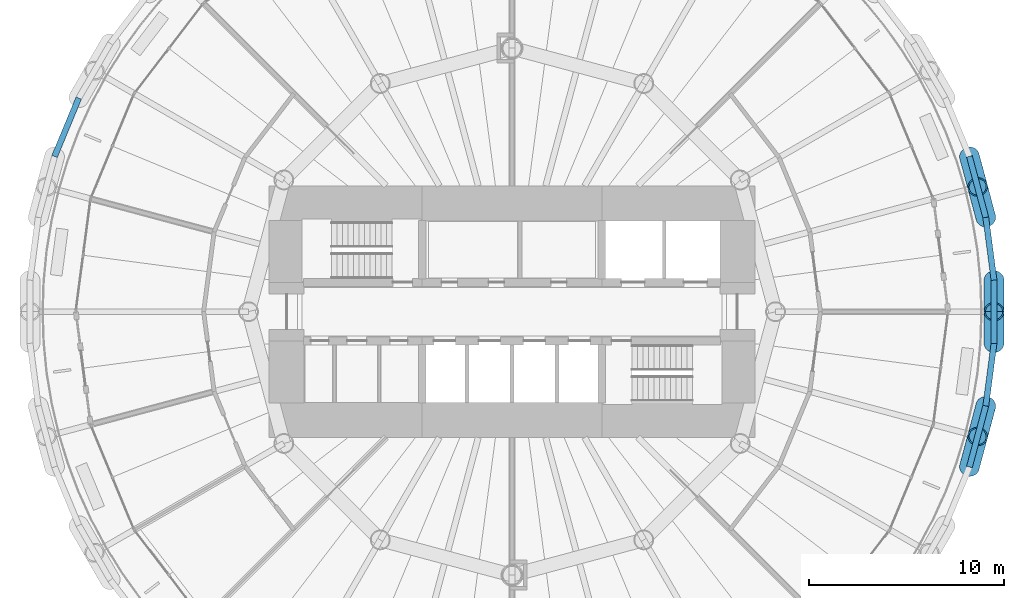
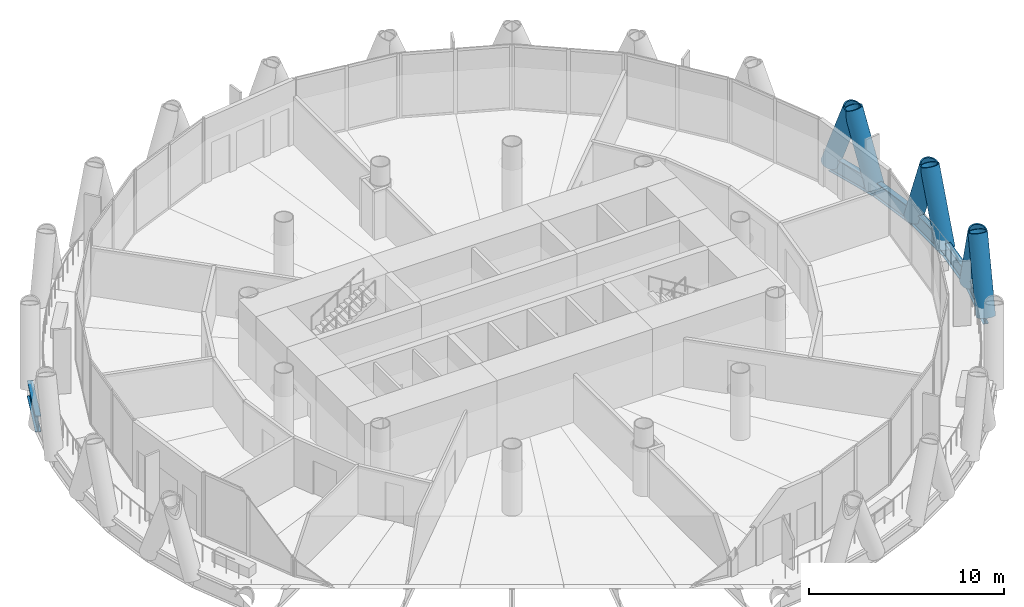
# One storey, part 5 of 15: 6 beams, 6 members.
"""IFC4 building model written with IfcOpenShell, lengths in metres."""

from ifc_helpers import new_model, si_unit, direction, frame, origin, origin_2d, place, context, subcontext, project, spatial, hollow_circle, i_section, extrude, material, material_profile, profile_set, type_object, element, save


model = new_model("IFC4")

# Units and contexts
model_context = context("Model", 3, precision=1e-05, world=origin(), true_north=direction((0.0, 1.0)))
body_context = subcontext(model_context, "Body", "Model", "MODEL_VIEW")
ifc_project = project(units=[si_unit("LENGTHUNIT", "METRE"), si_unit("AREAUNIT", "SQUARE_METRE"), si_unit("VOLUMEUNIT", "CUBIC_METRE"), si_unit("PLANEANGLEUNIT", "RADIAN"), si_unit("MASSUNIT", "GRAM", prefix="KILO")], contexts=[model_context])

# Site, building, storey
site_placement = place(None, origin())
site = spatial("IfcSite", under=ifc_project, at=site_placement, CompositionType="ELEMENT")
building_placement = place(site_placement, origin())
building = spatial("IfcBuilding", under=site, at=building_placement, Name="Qaws Media Tower", CompositionType="ELEMENT")
storey_placement = place(building_placement, frame((0.0, 0.0, 156.199951171875)))
storey = spatial("IfcBuildingStorey", under=building, at=storey_placement, Name="L35", CompositionType="ELEMENT", Elevation=156.199951171875)

# Members
ifc_material_1 = material(Name="Steel S460", Category="steel")
ifc_material_profile_1 = material_profile(ifc_material_1, hollow_circle(Radius=0.508056640625, WallThickness=0.070068359375, at=origin_2d()), Name="CHS 1016x70")
ifc_profile_set_1 = profile_set([ifc_material_profile_1], Name="Steel S460")
member_type = type_object("IfcMemberType", Name="Diagrid member CHS 1016x70", PredefinedType="USERDEFINED", material=ifc_profile_set_1)
member_1_placement = place(storey_placement, frame((84.2744140625, 54.828369140625, -0.6640625), z_axis=(-0.092420027726, 0.347551371871, 0.933095162556), x_axis=(-0.966414928875, -0.256986741386, 0.0)))
element("IfcMember", 1, at=member_1_placement, inside=storey, type_object=member_type, Name="DG3 diagrid L35 A01", ObjectType="DIAGRID", PredefinedType="USERDEFINED", context=body_context, shape_type="SweptSolid", body=[
    extrude(hollow_circle(Radius=0.508056640625, WallThickness=0.070068359375, at=origin_2d()), origin(), (0.0, 0.0, 1.0), 4.50146484375),
])
for number, where, z_axis, x_axis, name in (
    (2, (84.697021484375, 51.61865234375, -0.6640625), (0.000650853916, -0.359596788515, 0.933107564045), (0.999998362036, 0.001809951786, 0.0), "DG3 diagrid L35 B01"),
    (3, (83.4365234375, 57.95556640625, -0.6640625), (0.093722723881, -0.347175437247, 0.933105174565), (0.965439329962, 0.260627895981, 0.0), "DG3 diagrid L35 B02"),
    (4, (83.4365234375, 42.04443359375, -0.6640625), (0.093722723881, 0.347175437247, 0.933105174565), (-0.965439329962, 0.260627895981, 0.0), "DG3 diagrid L35 A23"),
    (5, (84.697021484375, 48.38134765625, -0.6640625), (0.000650853916, 0.359596788515, 0.933107564045), (-0.999998362036, 0.001809951786, 0.0), "DG3 diagrid L35 A24"),
):
    element("IfcMember", number, at=place(storey_placement, frame(where, z_axis=z_axis, x_axis=x_axis)), inside=storey, type_object=member_type, Name=name, ObjectType="DIAGRID", PredefinedType="USERDEFINED", context=body_context, shape_type="SweptSolid", body=[
        extrude(hollow_circle(Radius=0.508056640625, WallThickness=0.070068359375, at=origin_2d()), origin(), (0.0, 0.0, 1.0), 4.501220703125),
    ])
member_2_placement = place(storey_placement, frame((84.2744140625, 45.171630859375, -0.6640625), z_axis=(-0.092420027726, -0.347551371871, 0.933095162556), x_axis=(0.966414928875, -0.256986741386, 0.0)))
element("IfcMember", 6, at=member_2_placement, inside=storey, type_object=member_type, Name="DG3 diagrid L35 B24", ObjectType="DIAGRID", PredefinedType="USERDEFINED", context=body_context, shape_type="SweptSolid", body=[
    extrude(hollow_circle(Radius=0.508056640625, WallThickness=0.070068359375, at=origin_2d()), origin(), (0.0, 0.0, 1.0), 4.50146484375),
])

# Beams
ifc_material_2 = material(Name="Steel S460", Category="steel")
ifc_material_profile_2 = material_profile(ifc_material_2, i_section(OverallWidth=0.302001953125, OverallDepth=1.008056640625, WebThickness=0.02099609375, FlangeThickness=0.0400390625, FilletRadius=0.030029296875, at=origin_2d()), Name="HE 1000 M")
ifc_profile_set_2 = profile_set([ifc_material_profile_2], Name="Steel S460")
beam_type = type_object("IfcBeamType", Name="Edge ring beam HE 1000 M", PredefinedType="BEAM", material=ifc_profile_set_2)
beam_placement = place(storey_placement, frame((84.697021484375, 51.61865234375, -0.6640625), z_axis=(-0.130538394622, 0.991443254821, 0.0), x_axis=(-0.991443254821, -0.130538394622, 0.0)))
element("IfcBeam", 7, at=beam_placement, inside=storey, type_object=beam_type, Name="RB3 edge ring beam L35-01", PredefinedType="BEAM", context=body_context, shape_type="SweptSolid", body=[
    extrude(i_section(OverallWidth=0.302001953125, OverallDepth=1.008056640625, WebThickness=0.02099609375, FlangeThickness=0.0400390625, FilletRadius=0.030029296875, at=origin_2d()), origin(), (0.0, 0.0, 1.0), 3.2373046875),
])
for number, where, z_axis, x_axis, name in (
    (8, (84.2744140625, 54.828369140625, -0.6640625), (-0.258807702859, 0.965928865363, 0.0), (-0.965928865363, -0.258807702859, 0.0), "RB3 edge ring beam L35-02"),
    (9, (37.802490234375, 60.946533203125, -0.6640625), (-0.382713662324, -0.923867010273, 0.0), (0.923867010273, -0.382713662324, 0.0), "RB3 edge ring beam L35-21"),
    (10, (83.4365234375, 42.04443359375, -0.6640625), (0.258807702859, 0.965928865363, 0.0), (-0.965928865363, 0.258807702859, 0.0), "RB3 edge ring beam L35-46"),
):
    element("IfcBeam", number, at=place(storey_placement, frame(where, z_axis=z_axis, x_axis=x_axis)), inside=storey, type_object=beam_type, Name=name, PredefinedType="BEAM", context=body_context, shape_type="SweptSolid", body=[
        extrude(i_section(OverallWidth=0.302001953125, OverallDepth=1.008056640625, WebThickness=0.02099609375, FlangeThickness=0.0400390625, FilletRadius=0.030029296875, at=origin_2d()), origin(), (0.0, 0.0, 1.0), 3.237548828125),
    ])
for number, where, z_axis, x_axis, name in (
    (11, (84.2744140625, 45.171630859375, -0.6640625), (0.130538394622, 0.991443254821, 0.0), (-0.991443254821, 0.130538394622, 0.0), "RB3 edge ring beam L35-47"),
    (12, (84.697021484375, 48.38134765625, -0.6640625), (0.0, 1.0, 0.0), (-1.0, 0.0, 0.0), "RB3 edge ring beam L35-48"),
):
    element("IfcBeam", number, at=place(storey_placement, frame(where, z_axis=z_axis, x_axis=x_axis)), inside=storey, type_object=beam_type, Name=name, PredefinedType="BEAM", context=body_context, shape_type="SweptSolid", body=[
        extrude(i_section(OverallWidth=0.302001953125, OverallDepth=1.008056640625, WebThickness=0.02099609375, FlangeThickness=0.0400390625, FilletRadius=0.030029296875, at=origin_2d()), origin(), (0.0, 0.0, 1.0), 3.2373046875),
    ])

save(model, "model.ifc")
